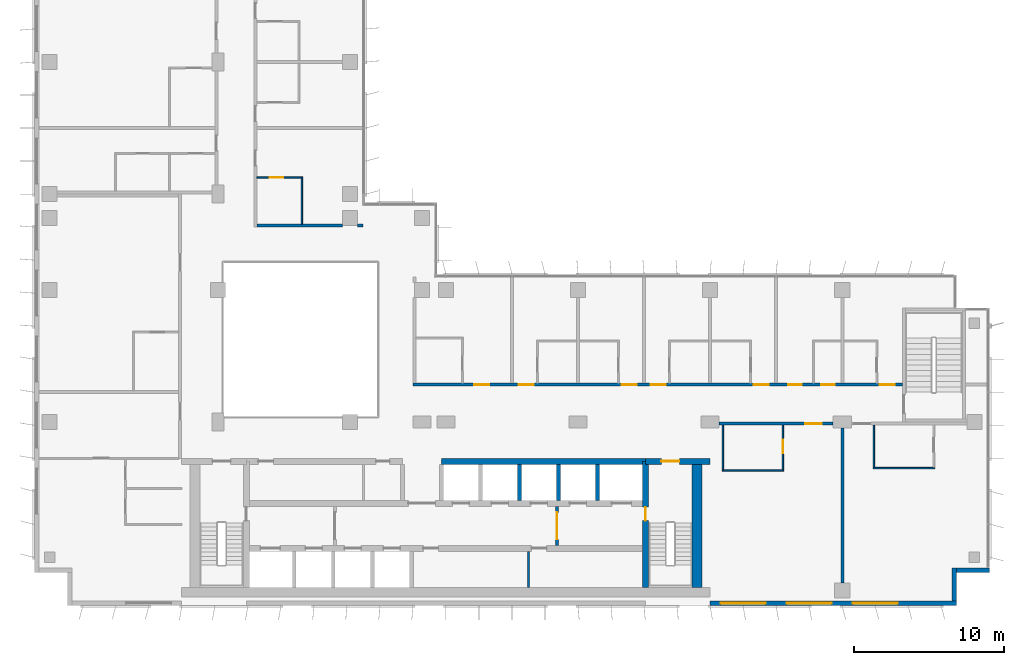
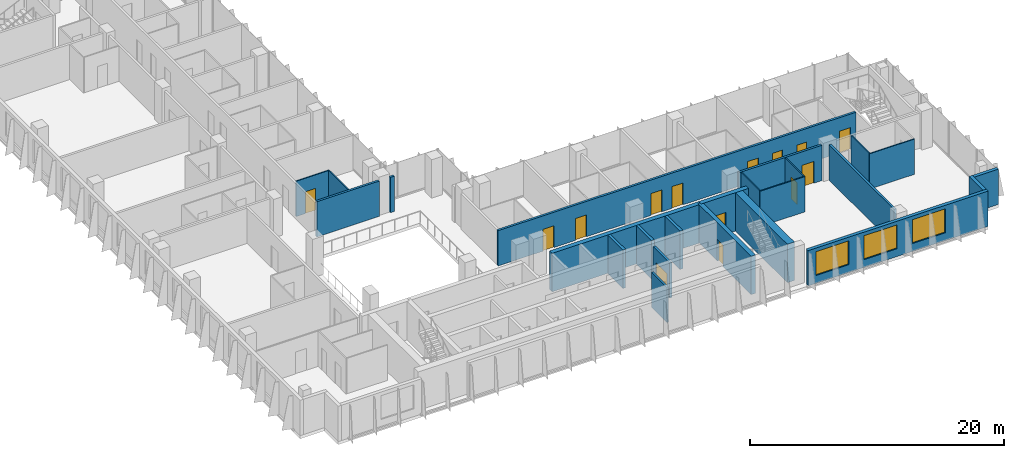
# One storey, part 14 of 21: 24 walls, 14 doors, 3 windows, 17 openings.
"""IFC4 building model written with IfcOpenShell, lengths in metres."""

import ifcopenshell
import ifcopenshell.guid

model = None  # the IFC model being written
_history = None  # IfcOwnerHistory: only IFC2X3 demands one
_inside = {}  # id of a spatial element -> (the spatial element, [elements in it])
_under = {}  # id of a project, library or spatial element -> (it, [spatial elements below it])
_declared = {}  # id of a project -> (the project, [libraries it declares])
_typed = {}  # id of a type object -> (the type object, [elements of that type])
_made_of = {}  # id of a material, layer set ... -> (it, [elements and type objects made of it])


def new_model(schema):
    """Start an empty IFC model of exactly this schema.

    Asked for "IFC4X3", IfcOpenShell would pick the latest addendum, in which some entities
    have other attributes; the version numbers below select the first issue.
    IFC2X3 requires an IfcOwnerHistory on every rooted entity: one is made here for all.
    """
    global model, _history
    if schema == "IFC4X3":
        model = ifcopenshell.file(schema_version=(4, 3, 0, 0))
    else:
        model = ifcopenshell.file(schema=schema)
    _inside.clear()
    _under.clear()
    _declared.clear()
    _typed.clear()
    _made_of.clear()
    _history = None
    if model.schema == "IFC2X3":
        org = make("IfcOrganization", Name="unknown")
        user = make(
            "IfcPersonAndOrganization",
            ThePerson=make("IfcPerson", FamilyName="unknown"),
            TheOrganization=org,
        )
        app = make(
            "IfcApplication",
            ApplicationDeveloper=org,
            Version="unknown",
            ApplicationFullName="unknown",
            ApplicationIdentifier="unknown",
        )
        _history = make(
            "IfcOwnerHistory",
            OwningUser=user,
            OwningApplication=app,
            ChangeAction="ADDED",
            CreationDate=0,
        )
    return model


def make(cls, **values):
    """One entity of the class cls with the attributes given. An attribute that is None is left unset."""
    return model.create_entity(
        cls, **{name: value for name, value in values.items() if value is not None}
    )


def rooted(cls, **values):
    """An entity with a GlobalId (a new one), such as an element, a storey or a relation."""
    return make(cls, GlobalId=ifcopenshell.guid.new(), OwnerHistory=_history, **values)


def si_unit(unit_type, name, prefix=None):
    """IfcSIUnit, for example si_unit("LENGTHUNIT", "METRE", prefix="MILLI")."""
    return make("IfcSIUnit", UnitType=unit_type, Prefix=prefix, Name=name)


def assignment(units):
    """IfcUnitAssignment: the units of a project."""
    return None if units is None else make("IfcUnitAssignment", Units=units)


def point(xyz):
    """IfcCartesianPoint."""
    return None if xyz is None else make("IfcCartesianPoint", Coordinates=xyz)


def direction(xyz):
    """IfcDirection."""
    return None if xyz is None else make("IfcDirection", DirectionRatios=xyz)


def frame(location, z_axis=None, x_axis=None):
    """IfcAxis2Placement3D, a coordinate frame: its origin and axes. An axis left out is left unset."""
    return make(
        "IfcAxis2Placement3D",
        Location=point(location),
        Axis=direction(z_axis),
        RefDirection=direction(x_axis),
    )


def frame_2d(location, x_axis=None):
    """IfcAxis2Placement2D, a coordinate frame in the plane: its origin and x axis."""
    return make(
        "IfcAxis2Placement2D", Location=point(location), RefDirection=direction(x_axis)
    )


def origin():
    """The frame at (0, 0, 0) with its axes left unset."""
    return frame((0.0, 0.0, 0.0))


def place(relative_to, where):
    """IfcLocalPlacement: puts the frame where relative to a parent placement (None: the world)."""
    return make(
        "IfcLocalPlacement", PlacementRelTo=relative_to, RelativePlacement=where
    )


def context(
    kind, dimensions, precision=None, world=None, true_north=None, identifier=None
):
    """IfcGeometricRepresentationContext, for example the 3D "Model" context."""
    return make(
        "IfcGeometricRepresentationContext",
        ContextIdentifier=identifier,
        ContextType=kind,
        CoordinateSpaceDimension=dimensions,
        Precision=precision,
        WorldCoordinateSystem=world,
        TrueNorth=true_north,
    )


def subcontext(parent, identifier, kind, view, scale=None):
    """IfcGeometricRepresentationSubContext, for example "Body" below "Model"."""
    return make(
        "IfcGeometricRepresentationSubContext",
        ContextIdentifier=identifier,
        ContextType=kind,
        ParentContext=parent,
        TargetScale=scale,
        TargetView=view,
    )


def project(units=None, contexts=None):
    """IfcProject with its units and contexts."""
    return rooted(
        "IfcProject",
        Name="project",
        RepresentationContexts=contexts,
        UnitsInContext=assignment(units),
    )


def spatial(cls, under=None, at=None, **own):
    """A site, building, storey or space (cls), placed at a placement, below another one or the project."""
    s = rooted(cls, ObjectPlacement=at, **own)
    if under is not None:
        _under.setdefault(under.id(), (under, []))[1].append(s)
    return s


def profile(cls, at=None, kind="AREA", **sizes):
    """A parametric profile (cls). Its sizes go by their IFC names, for example OverallWidth=200.0."""
    return make(cls, ProfileType=kind, Position=at, **sizes)


def rectangle(**sizes):
    """IfcRectangleProfileDef."""
    return profile("IfcRectangleProfileDef", **sizes)


def extrude(swept, where, along, depth):
    """IfcExtrudedAreaSolid: the profile swept, set in the frame where, extruded along a direction by depth."""
    return make(
        "IfcExtrudedAreaSolid",
        SweptArea=swept,
        Position=where,
        ExtrudedDirection=direction(along),
        Depth=depth,
    )


def shape(context_of_items, identifier, shape_type, items):
    """IfcShapeRepresentation: the items that make up one representation, for example the "Body"."""
    return make(
        "IfcShapeRepresentation",
        ContextOfItems=context_of_items,
        RepresentationIdentifier=identifier,
        RepresentationType=shape_type,
        Items=items,
    )


def material(Name=None, Category=None):
    """IfcMaterial."""
    return make("IfcMaterial", Name=Name, Category=Category)


def layer(
    of_material, thickness, ventilated=None, Name=None, Category=None, Priority=None
):
    """IfcMaterialLayer: one layer of a wall or slab, of a material (None: an air gap)."""
    return make(
        "IfcMaterialLayer",
        Material=of_material,
        LayerThickness=thickness,
        IsVentilated=ventilated,
        Name=Name,
        Category=Category,
        Priority=Priority,
    )


def layer_set(layers, Name=None):
    """IfcMaterialLayerSet."""
    return make("IfcMaterialLayerSet", MaterialLayers=layers, LayerSetName=Name)


def made_of(thing, what):
    """Note that an element or type object is made of a material, layer set ...; save() writes the relation."""
    if what is not None:
        _made_of.setdefault(what.id(), (what, []))[1].append(thing)
    return thing


def type_object(cls, material=None, **own):
    """A type object (cls), such as IfcWallType, which elements share."""
    return made_of(rooted(cls, **own), material)


def element(
    cls,
    number,
    at=None,
    inside=None,
    cuts=None,
    type_object=None,
    material=None,
    context=None,
    identifier="Body",
    shape_type=None,
    held_by="IfcProductDefinitionShape",
    body=None,
    shapes=None,
    **own,
):
    """One element of the class cls, such as IfcWall. Its Tag is "e" and its number.

    at: its placement. inside: the storey or other place that contains it. cuts: it is an
    opening in that element (IfcRelVoidsElement). A single representation is given by context,
    identifier, shape_type and body (its items); several are given by shapes. held_by: the class
    of the entity that holds the representations. save() writes the other relations.
    """
    e = rooted(cls, Tag="e%d" % number, ObjectPlacement=at, **own)
    if body is not None:
        shapes = [shape(context, identifier, shape_type, body)]
    if shapes is not None:
        e.Representation = make(held_by, Representations=shapes)
    if inside is not None:
        _inside.setdefault(inside.id(), (inside, []))[1].append(e)
    if cuts is not None:
        rooted(
            "IfcRelVoidsElement", RelatingBuildingElement=cuts, RelatedOpeningElement=e
        )
    if type_object is not None:
        _typed.setdefault(type_object.id(), (type_object, []))[1].append(e)
    return made_of(e, material)


def fill(opening, filler):
    """IfcRelFillsElement: the door or window that sits in an opening."""
    return rooted(
        "IfcRelFillsElement",
        RelatingOpeningElement=opening,
        RelatedBuildingElement=filler,
    )


def aggregate(whole, parts):
    """IfcRelAggregates: a whole, such as a stair, and the parts it consists of."""
    return rooted("IfcRelAggregates", RelatingObject=whole, RelatedObjects=parts)


def save(model, path):
    """Write the relations noted so far, then the file.

    IfcRelAggregates (storeys below a building ...), IfcRelContainedInSpatialStructure (elements
    in a storey), IfcRelDefinesByType, IfcRelAssociatesMaterial and IfcRelDeclares: one each for
    every whole, place, type object, material and project.
    """
    for whole, parts in _under.values():
        aggregate(whole, parts)
    for where, things in _inside.values():
        rooted(
            "IfcRelContainedInSpatialStructure",
            RelatedElements=things,
            RelatingStructure=where,
        )
    for kind, things in _typed.values():
        rooted("IfcRelDefinesByType", RelatedObjects=things, RelatingType=kind)
    for what, things in _made_of.values():
        rooted("IfcRelAssociatesMaterial", RelatedObjects=things, RelatingMaterial=what)
    for by, libraries in _declared.values():
        rooted("IfcRelDeclares", RelatingContext=by, RelatedDefinitions=libraries)
    model.write(path)


model = new_model("IFC4")

# Units and contexts
model_context = context("Model", 3, precision=1e-05, world=origin(), true_north=direction((0.0, 1.0)))
body_context = subcontext(model_context, "Body", "Model", "MODEL_VIEW")
ifc_project = project(units=[si_unit("LENGTHUNIT", "METRE"), si_unit("AREAUNIT", "SQUARE_METRE"), si_unit("VOLUMEUNIT", "CUBIC_METRE"), si_unit("PLANEANGLEUNIT", "RADIAN"), si_unit("MASSUNIT", "GRAM", prefix="KILO")], contexts=[model_context])

# Site, building, storey
site_placement = place(None, origin())
site = spatial("IfcSite", under=ifc_project, at=site_placement, CompositionType="ELEMENT")
building_placement = place(site_placement, origin())
building = spatial("IfcBuilding", under=site, at=building_placement, Name="Kemantara Hotel Tower", CompositionType="ELEMENT")
storey_placement = place(building_placement, frame((0.0, 0.0, 215.39990234375)))
storey = spatial("IfcBuildingStorey", under=building, at=storey_placement, Name="L53", CompositionType="ELEMENT", Elevation=215.39990234375)

# Wall, openings, windows
ifc_material_1 = material(Name="Bronze anodised aluminium cladding on insulated steel stud wall", Category="steel")
ifc_layer_1 = layer(ifc_material_1, 0.300048828125)
ifc_layer_set_1 = layer_set([ifc_layer_1], Name="Bronze anodised aluminium cladding on insulated steel stud wall")
wall_type_1 = type_object("IfcWallType", Name="BRONZE METAL-CLAD EXTERNAL WALL 300", PredefinedType="STANDARD", material=ifc_layer_set_1)
wall_1_placement = place(storey_placement, frame((45.0, 0.14990234375, 0.0), z_axis=(0.0, 0.0, 1.0), x_axis=(1.0, 0.0, 0.0)))
wall_1 = element("IfcWall", 1, at=wall_1_placement, inside=storey, type_object=wall_type_1, Name="EXTERNAL WALL L53 T3-R08-3", PredefinedType="STANDARD", context=body_context, shape_type="SweptSolid", body=[
    extrude(rectangle(XDim=16.39990234375, YDim=0.300048828125, at=frame_2d((8.199951171875, 0.0))), origin(), (0.0, 0.0, 1.0), 3.400146484375),
])
opening_1_placement = place(wall_1_placement, frame((0.699951171875, 0.0, 0.75)))
opening_1 = element("IfcOpeningElement", 2, at=opening_1_placement, cuts=wall_1, Name="Opening W1", PredefinedType="OPENING", context=body_context, shape_type="SweptSolid", body=[
    extrude(rectangle(XDim=3.0, YDim=2.300048828125, at=frame_2d((1.5, 1.14990234375))), frame((0.0, 0.159912109375, 0.0), z_axis=(0.0, -1.0, 0.0), x_axis=(1.0, 0.0, 0.0)), (0.0, 0.0, 1.0), 0.320068359375),
])
opening_2_placement = place(wall_1_placement, frame((5.10009765625, 0.0, 0.75)))
opening_2 = element("IfcOpeningElement", 3, at=opening_2_placement, cuts=wall_1, Name="Opening W1", PredefinedType="OPENING", context=body_context, shape_type="SweptSolid", body=[
    extrude(rectangle(XDim=3.0, YDim=2.300048828125, at=frame_2d((1.5, 1.14990234375))), frame((0.0, 0.159912109375, 0.0), z_axis=(0.0, -1.0, 0.0), x_axis=(1.0, 0.0, 0.0)), (0.0, 0.0, 1.0), 0.320068359375),
])
opening_3_placement = place(wall_1_placement, frame((9.5, 0.0, 0.75)))
opening_3 = element("IfcOpeningElement", 4, at=opening_3_placement, cuts=wall_1, Name="Opening W1", PredefinedType="OPENING", context=body_context, shape_type="SweptSolid", body=[
    extrude(rectangle(XDim=3.0, YDim=2.300048828125, at=frame_2d((1.5, 1.14990234375))), frame((0.0, 0.159912109375, 0.0), z_axis=(0.0, -1.0, 0.0), x_axis=(1.0, 0.0, 0.0)), (0.0, 0.0, 1.0), 0.320068359375),
])
ifc_material_2 = material(Name="Low-E tinted double insulated glass in bronze anodised aluminium frame", Category="aluminium")
window_type = type_object("IfcWindowType", Name="CHICAGO WINDOW, TRIPLE PANEL 3000x2300", PartitioningType="TRIPLE_PANEL_VERTICAL", PredefinedType="WINDOW", material=ifc_material_2)
window_1_placement = place(opening_1_placement, origin())
window_1 = element("IfcWindow", 5, at=window_1_placement, inside=storey, type_object=window_type, Name="CHICAGO WINDOW L53 T3-R08-450", OverallHeight=2.300048828125, OverallWidth=3.0, PartitioningType="SINGLE_PANEL", PredefinedType="WINDOW", context=body_context, shape_type="SweptSolid", body=[
    extrude(rectangle(XDim=3.0, YDim=2.300048828125, at=frame_2d((1.5, 1.14990234375))), frame((0.0, 0.030029296875, 0.0), z_axis=(0.0, -1.0, 0.0), x_axis=(1.0, 0.0, 0.0)), (0.0, 0.0, 1.0), 0.06005859375),
])
fill(opening_1, window_1)
window_2_placement = place(opening_2_placement, origin())
window_2 = element("IfcWindow", 6, at=window_2_placement, inside=storey, type_object=window_type, Name="CHICAGO WINDOW L53 T3-R08-494", OverallHeight=2.300048828125, OverallWidth=3.0, PartitioningType="SINGLE_PANEL", PredefinedType="WINDOW", context=body_context, shape_type="SweptSolid", body=[
    extrude(rectangle(XDim=3.0, YDim=2.300048828125, at=frame_2d((1.5, 1.14990234375))), frame((0.0, 0.030029296875, 0.0), z_axis=(0.0, -1.0, 0.0), x_axis=(1.0, 0.0, 0.0)), (0.0, 0.0, 1.0), 0.06005859375),
])
fill(opening_2, window_2)
window_3_placement = place(opening_3_placement, origin())
window_3 = element("IfcWindow", 7, at=window_3_placement, inside=storey, type_object=window_type, Name="CHICAGO WINDOW L53 T3-R08-538", OverallHeight=2.300048828125, OverallWidth=3.0, PartitioningType="SINGLE_PANEL", PredefinedType="WINDOW", context=body_context, shape_type="SweptSolid", body=[
    extrude(rectangle(XDim=3.0, YDim=2.300048828125, at=frame_2d((1.5, 1.14990234375))), frame((0.0, 0.030029296875, 0.0), z_axis=(0.0, -1.0, 0.0), x_axis=(1.0, 0.0, 0.0)), (0.0, 0.0, 1.0), 0.06005859375),
])
fill(opening_3, window_3)

# Walls
wall_2_placement = place(storey_placement, frame((61.25, 0.300048828125, 0.0), z_axis=(0.0, 0.0, 1.0), x_axis=(0.0, 1.0, 0.0)))
element("IfcWall", 8, at=wall_2_placement, inside=storey, type_object=wall_type_1, Name="EXTERNAL WALL L53 T3-R09", PredefinedType="STANDARD", context=body_context, shape_type="SweptSolid", body=[
    extrude(rectangle(XDim=2.199951171875, YDim=0.300048828125, at=frame_2d((1.10009765625, 0.0))), origin(), (0.0, 0.0, 1.0), 3.400146484375),
])
wall_3_placement = place(storey_placement, frame((61.39990234375, 2.35009765625, 0.0), z_axis=(0.0, 0.0, 1.0), x_axis=(1.0, 0.0, 0.0)))
element("IfcWall", 9, at=wall_3_placement, inside=storey, type_object=wall_type_1, Name="EXTERNAL WALL L53 T3-R10", PredefinedType="STANDARD", context=body_context, shape_type="SweptSolid", body=[
    extrude(rectangle(XDim=2.2001953125, YDim=0.300048828125, at=frame_2d((1.10009765625, 0.0))), origin(), (0.0, 0.0, 1.0), 3.400146484375),
])
ifc_material_3 = material(Name="Concrete fc 60 MPa", Category="concrete")
ifc_layer_2 = layer(ifc_material_3, 0.25)
ifc_layer_set_2 = layer_set([ifc_layer_2], Name="Concrete fc 60 MPa")
wall_type_2 = type_object("IfcWallType", Name="CORE WALL 250 FC60", PredefinedType="SHEAR", material=ifc_layer_set_2)
for number, where, z_axis, x_axis, name in (
    (10, (32.300048828125, 7.0, 0.0), (0.0, 0.0, 1.0), (0.0, 1.0, 0.0), "CORE WALL CW-DN32.3"),
    (11, (34.89990234375, 7.0, 0.0), (0.0, 0.0, 1.0), (0.0, 1.0, 0.0), "CORE WALL CW-DN34.9"),
    (12, (37.5, 7.0, 0.0), (0.0, 0.0, 1.0), (0.0, 1.0, 0.0), "CORE WALL CW-DN37.5"),
):
    element("IfcWall", number, at=place(storey_placement, frame(where, z_axis=z_axis, x_axis=x_axis)), inside=storey, type_object=wall_type_2, Name=name, PredefinedType="SHEAR", context=body_context, shape_type="SweptSolid", body=[
        extrude(rectangle(XDim=2.39990234375, YDim=0.25, at=frame_2d((1.199951171875, 0.0))), origin(), (0.0, 0.0, 1.0), 3.7001953125),
    ])

# Wall, opening, door
ifc_layer_3 = layer(ifc_material_3, 0.39990234375)
ifc_layer_set_3 = layer_set([ifc_layer_3], Name="Concrete fc 60 MPa")
wall_type_3 = type_object("IfcWallType", Name="CORE WALL 400 FC60", PredefinedType="SHEAR", material=ifc_layer_set_3)
wall_4_placement = place(storey_placement, frame((40.699951171875, 9.60009765625, 0.0), z_axis=(0.0, 0.0, 1.0), x_axis=(1.0, 0.0, 0.0)))
wall_4 = element("IfcWall", 13, at=wall_4_placement, inside=storey, type_object=wall_type_3, Name="CORE WALL CW-N2", PredefinedType="SHEAR", context=body_context, shape_type="SweptSolid", body=[
    extrude(rectangle(XDim=4.300048828125, YDim=0.39990234375, at=frame_2d((2.14990234375, 0.0))), origin(), (0.0, 0.0, 1.0), 3.7001953125),
])
opening_4_placement = place(wall_4_placement, frame((1.050048828125, 0.0, 0.0)))
opening_4 = element("IfcOpeningElement", 14, at=opening_4_placement, cuts=wall_4, Name="Opening C33-ST2-C", PredefinedType="OPENING", context=body_context, shape_type="SweptSolid", body=[
    extrude(rectangle(XDim=1.199951171875, YDim=2.10009765625, at=frame_2d((0.60009765625, 1.050048828125))), frame((0.0, 0.2099609375, 0.0), z_axis=(0.0, -1.0, 0.0), x_axis=(1.0, 0.0, 0.0)), (0.0, 0.0, 1.0), 0.419921875),
])
ifc_material_4 = material(Name="Steel fire door", Category="steel")
door_type_1 = type_object("IfcDoorType", Name="Fire door FD90 1200 x 2100", OperationType="NOTDEFINED", PredefinedType="DOOR", material=ifc_material_4)
door_1_placement = place(opening_4_placement, frame((1.199951171875, 0.0, 0.0), z_axis=(0.0, 0.0, 1.0), x_axis=(-1.0, 0.0, 0.0)))
door_1 = element("IfcDoor", 15, at=door_1_placement, inside=storey, type_object=door_type_1, Name="Stair ST2 door to corridor", OperationType="SINGLE_SWING_RIGHT", OverallHeight=2.10009765625, OverallWidth=1.199951171875, PredefinedType="DOOR", context=body_context, shape_type="SweptSolid", body=[
    extrude(rectangle(XDim=1.199951171875, YDim=2.10009765625, at=frame_2d((0.60009765625, 1.050048828125))), frame((0.0, 0.02490234375, 0.0), z_axis=(0.0, -1.0, 0.0), x_axis=(1.0, 0.0, 0.0)), (0.0, 0.0, 1.0), 0.050048828125),
])
fill(opening_4, door_1)

# Wall
wall_5_placement = place(storey_placement, frame((27.10009765625, 9.60009765625, 0.0), z_axis=(0.0, 0.0, 1.0), x_axis=(1.0, 0.0, 0.0)))
element("IfcWall", 16, at=wall_5_placement, inside=storey, type_object=wall_type_3, Name="CORE WALL CW-NN2", PredefinedType="SHEAR", context=body_context, shape_type="SweptSolid", body=[
    extrude(rectangle(XDim=13.599853515625, YDim=0.39990234375, at=frame_2d((6.7998046875, 0.0))), origin(), (0.0, 0.0, 1.0), 3.7001953125),
])

# Wall, opening, door
wall_6_placement = place(storey_placement, frame((40.699951171875, 1.199951171875, 0.0), z_axis=(0.0, 0.0, 1.0), x_axis=(0.0, 1.0, 0.0)))
wall_6 = element("IfcWall", 17, at=wall_6_placement, inside=storey, type_object=wall_type_3, Name="CORE WALL CW-ST2W", PredefinedType="SHEAR", context=body_context, shape_type="SweptSolid", body=[
    extrude(rectangle(XDim=8.400146484375, YDim=0.39990234375, at=frame_2d((4.2001953125, 0.0))), origin(), (0.0, 0.0, 1.0), 3.7001953125),
])
opening_5_placement = place(wall_6_placement, frame((4.449951171875, 0.0, 0.0)))
opening_5 = element("IfcOpeningElement", 18, at=opening_5_placement, cuts=wall_6, Name="Opening C33-ST2-F", PredefinedType="OPENING", context=body_context, shape_type="SweptSolid", body=[
    extrude(rectangle(XDim=0.89990234375, YDim=2.10009765625, at=frame_2d((0.449951171875, 1.050048828125))), frame((0.0, 0.2099609375, 0.0), z_axis=(0.0, -1.0, 0.0), x_axis=(1.0, 0.0, 0.0)), (0.0, 0.0, 1.0), 0.419921875),
])
door_type_2 = type_object("IfcDoorType", Name="Fire door FD90 900 x 2100", OperationType="NOTDEFINED", PredefinedType="DOOR", material=ifc_material_4)
door_2_placement = place(opening_5_placement, frame((0.89990234375, 0.0, 0.0), z_axis=(0.0, 0.0, 1.0), x_axis=(-1.0, 0.0, 0.0)))
door_2 = element("IfcDoor", 19, at=door_2_placement, inside=storey, type_object=door_type_2, Name="Stair ST2 door to firefighting lobby", OperationType="SINGLE_SWING_LEFT", OverallHeight=2.10009765625, OverallWidth=0.89990234375, PredefinedType="DOOR", context=body_context, shape_type="SweptSolid", body=[
    extrude(rectangle(XDim=0.89990234375, YDim=2.10009765625, at=frame_2d((0.449951171875, 1.050048828125))), frame((0.0, 0.02490234375, 0.0), z_axis=(0.0, -1.0, 0.0), x_axis=(1.0, 0.0, 0.0)), (0.0, 0.0, 1.0), 0.050048828125),
])
fill(opening_5, door_2)

# Wall
ifc_layer_4 = layer(ifc_material_3, 0.64990234375)
ifc_layer_set_4 = layer_set([ifc_layer_4], Name="Concrete fc 60 MPa")
wall_type_4 = type_object("IfcWallType", Name="CORE WALL 650 FC60", PredefinedType="SHEAR", material=ifc_layer_set_4)
wall_7_placement = place(storey_placement, frame((44.125, 1.199951171875, 0.0), z_axis=(0.0, 0.0, 1.0), x_axis=(0.0, 1.0, 0.0)))
element("IfcWall", 20, at=wall_7_placement, inside=storey, type_object=wall_type_4, Name="CORE WALL CW-E", PredefinedType="SHEAR", context=body_context, shape_type="SweptSolid", body=[
    extrude(rectangle(XDim=8.60009765625, YDim=0.64990234375, at=frame_2d((4.300048828125, 0.0))), origin(), (0.0, 0.0, 1.0), 3.7001953125),
])

# Wall, opening, door
ifc_material_5 = material(Name="Gypsum board partition, steel studs and mineral wool, 200 mm", Category="steel")
ifc_layer_5 = layer(ifc_material_5, 0.199951171875)
ifc_layer_set_5 = layer_set([ifc_layer_5], Name="Gypsum board partition, steel studs and mineral wool, 200 mm")
wall_type_5 = type_object("IfcWallType", Name="CORRIDOR WALL 200", PredefinedType="PARTITIONING", material=ifc_layer_set_5)
wall_8_placement = place(storey_placement, frame((53.199951171875, 12.10009765625, 0.0), z_axis=(0.0, 0.0, 1.0), x_axis=(-1.0, 0.0, 0.0)))
wall_8 = element("IfcWall", 21, at=wall_8_placement, inside=storey, type_object=wall_type_5, Name="CORRIDOR WALL 200 001", PredefinedType="PARTITIONING", context=body_context, shape_type="SweptSolid", body=[
    extrude(rectangle(XDim=7.599853515625, YDim=0.199951171875, at=frame_2d((3.7998046875, 0.0))), origin(), (0.0, 0.0, 1.0), 3.400146484375),
])
opening_6_placement = place(wall_8_placement, frame((0.75, 0.0, 0.0)))
opening_6 = element("IfcOpeningElement", 22, at=opening_6_placement, cuts=wall_8, Name="Opening F26-001", PredefinedType="OPENING", context=body_context, shape_type="SweptSolid", body=[
    extrude(rectangle(XDim=1.10009765625, YDim=2.10009765625, at=frame_2d((0.550048828125, 1.050048828125))), frame((0.0, 0.10986328125, 0.0), z_axis=(0.0, -1.0, 0.0), x_axis=(1.0, 0.0, 0.0)), (0.0, 0.0, 1.0), 0.219970703125),
])
ifc_material_6 = material(Name="Hardwood veneer door leaf with steel frame", Category="steel")
door_type_3 = type_object("IfcDoorType", Name="SUITE ENTRANCE DOOR 1100 X 2100 FD30S", OperationType="NOTDEFINED", PredefinedType="DOOR", material=ifc_material_6)
door_3_placement = place(opening_6_placement, origin())
door_3 = element("IfcDoor", 23, at=door_3_placement, inside=storey, type_object=door_type_3, Name="SUITE ENTRANCE DOOR F26-001", OperationType="SINGLE_SWING_LEFT", OverallHeight=2.10009765625, OverallWidth=1.10009765625, PredefinedType="DOOR", context=body_context, shape_type="SweptSolid", body=[
    extrude(rectangle(XDim=1.10009765625, YDim=2.10009765625, at=frame_2d((0.550048828125, 1.050048828125))), frame((0.0, 0.02490234375, 0.0), z_axis=(0.0, -1.0, 0.0), x_axis=(1.0, 0.0, 0.0)), (0.0, 0.0, 1.0), 0.050048828125),
])
fill(opening_6, door_3)

# Wall, openings, doors
wall_9_placement = place(storey_placement, frame((25.199951171875, 14.699951171875, 0.0), z_axis=(0.0, 0.0, 1.0), x_axis=(1.0, 0.0, 0.0)))
wall_9 = element("IfcWall", 24, at=wall_9_placement, inside=storey, type_object=wall_type_5, Name="CORRIDOR WALL 200 005", PredefinedType="PARTITIONING", context=body_context, shape_type="SweptSolid", body=[
    extrude(rectangle(XDim=32.60009765625, YDim=0.199951171875, at=frame_2d((16.300048828125, 0.0))), origin(), (0.0, 0.0, 1.0), 3.400146484375),
])
opening_7_placement = place(wall_9_placement, frame((4.10009765625, 0.0, 0.0)))
opening_7 = element("IfcOpeningElement", 25, at=opening_7_placement, cuts=wall_9, Name="Opening F26-005", PredefinedType="OPENING", context=body_context, shape_type="SweptSolid", body=[
    extrude(rectangle(XDim=1.0, YDim=2.10009765625, at=frame_2d((0.5, 1.050048828125))), frame((0.0, 0.10986328125, 0.0), z_axis=(0.0, -1.0, 0.0), x_axis=(1.0, 0.0, 0.0)), (0.0, 0.0, 1.0), 0.219970703125),
])
opening_8_placement = place(wall_9_placement, frame((7.050048828125, 0.0, 0.0)))
opening_8 = element("IfcOpeningElement", 26, at=opening_8_placement, cuts=wall_9, Name="Opening F26-007", PredefinedType="OPENING", context=body_context, shape_type="SweptSolid", body=[
    extrude(rectangle(XDim=1.0, YDim=2.10009765625, at=frame_2d((0.5, 1.050048828125))), frame((0.0, 0.10986328125, 0.0), z_axis=(0.0, -1.0, 0.0), x_axis=(1.0, 0.0, 0.0)), (0.0, 0.0, 1.0), 0.219970703125),
])
opening_9_placement = place(wall_9_placement, frame((13.89990234375, 0.0, 0.0)))
opening_9 = element("IfcOpeningElement", 27, at=opening_9_placement, cuts=wall_9, Name="Opening F26-009", PredefinedType="OPENING", context=body_context, shape_type="SweptSolid", body=[
    extrude(rectangle(XDim=1.0, YDim=2.10009765625, at=frame_2d((0.5, 1.050048828125))), frame((0.0, 0.10986328125, 0.0), z_axis=(0.0, -1.0, 0.0), x_axis=(1.0, 0.0, 0.0)), (0.0, 0.0, 1.0), 0.219970703125),
])
opening_10_placement = place(wall_9_placement, frame((15.85009765625, 0.0, 0.0)))
opening_10 = element("IfcOpeningElement", 28, at=opening_10_placement, cuts=wall_9, Name="Opening F26-011", PredefinedType="OPENING", context=body_context, shape_type="SweptSolid", body=[
    extrude(rectangle(XDim=1.0, YDim=2.10009765625, at=frame_2d((0.5, 1.050048828125))), frame((0.0, 0.10986328125, 0.0), z_axis=(0.0, -1.0, 0.0), x_axis=(1.0, 0.0, 0.0)), (0.0, 0.0, 1.0), 0.219970703125),
])
opening_11_placement = place(wall_9_placement, frame((22.699951171875, 0.0, 0.0)))
opening_11 = element("IfcOpeningElement", 29, at=opening_11_placement, cuts=wall_9, Name="Opening F26-013", PredefinedType="OPENING", context=body_context, shape_type="SweptSolid", body=[
    extrude(rectangle(XDim=1.0, YDim=2.10009765625, at=frame_2d((0.5, 1.050048828125))), frame((0.0, 0.10986328125, 0.0), z_axis=(0.0, -1.0, 0.0), x_axis=(1.0, 0.0, 0.0)), (0.0, 0.0, 1.0), 0.219970703125),
])
opening_12_placement = place(wall_9_placement, frame((25.0, 0.0, 0.0)))
opening_12 = element("IfcOpeningElement", 30, at=opening_12_placement, cuts=wall_9, Name="Opening F26-015", PredefinedType="OPENING", context=body_context, shape_type="SweptSolid", body=[
    extrude(rectangle(XDim=0.89990234375, YDim=2.10009765625, at=frame_2d((0.449951171875, 1.050048828125))), frame((0.0, 0.10986328125, 0.0), z_axis=(0.0, -1.0, 0.0), x_axis=(1.0, 0.0, 0.0)), (0.0, 0.0, 1.0), 0.219970703125),
])
opening_13_placement = place(wall_9_placement, frame((27.199951171875, 0.0, 0.0)))
opening_13 = element("IfcOpeningElement", 31, at=opening_13_placement, cuts=wall_9, Name="Opening F26-016", PredefinedType="OPENING", context=body_context, shape_type="SweptSolid", body=[
    extrude(rectangle(XDim=0.89990234375, YDim=2.10009765625, at=frame_2d((0.449951171875, 1.050048828125))), frame((0.0, 0.10986328125, 0.0), z_axis=(0.0, -1.0, 0.0), x_axis=(1.0, 0.0, 0.0)), (0.0, 0.0, 1.0), 0.219970703125),
])
opening_14_placement = place(wall_9_placement, frame((31.10009765625, 0.0, 0.0)))
opening_14 = element("IfcOpeningElement", 32, at=opening_14_placement, cuts=wall_9, Name="Opening F26-017", PredefinedType="OPENING", context=body_context, shape_type="SweptSolid", body=[
    extrude(rectangle(XDim=1.0, YDim=2.10009765625, at=frame_2d((0.5, 1.050048828125))), frame((0.0, 0.10986328125, 0.0), z_axis=(0.0, -1.0, 0.0), x_axis=(1.0, 0.0, 0.0)), (0.0, 0.0, 1.0), 0.219970703125),
])
door_type_4 = type_object("IfcDoorType", Name="GUEST ROOM DOOR 1000 X 2100 FD30S", OperationType="NOTDEFINED", PredefinedType="DOOR", material=ifc_material_6)
door_4_placement = place(opening_7_placement, origin())
door_4 = element("IfcDoor", 33, at=door_4_placement, inside=storey, type_object=door_type_4, Name="GUEST ROOM DOOR F26-005", OperationType="SINGLE_SWING_RIGHT", OverallHeight=2.10009765625, OverallWidth=1.0, PredefinedType="DOOR", context=body_context, shape_type="SweptSolid", body=[
    extrude(rectangle(XDim=1.0, YDim=2.10009765625, at=frame_2d((0.5, 1.050048828125))), frame((0.0, 0.02490234375, 0.0), z_axis=(0.0, -1.0, 0.0), x_axis=(1.0, 0.0, 0.0)), (0.0, 0.0, 1.0), 0.050048828125),
])
fill(opening_7, door_4)
door_5_placement = place(opening_8_placement, origin())
door_5 = element("IfcDoor", 34, at=door_5_placement, inside=storey, type_object=door_type_4, Name="GUEST ROOM DOOR F26-007", OperationType="SINGLE_SWING_LEFT", OverallHeight=2.10009765625, OverallWidth=1.0, PredefinedType="DOOR", context=body_context, shape_type="SweptSolid", body=[
    extrude(rectangle(XDim=1.0, YDim=2.10009765625, at=frame_2d((0.5, 1.050048828125))), frame((0.0, 0.02490234375, 0.0), z_axis=(0.0, -1.0, 0.0), x_axis=(1.0, 0.0, 0.0)), (0.0, 0.0, 1.0), 0.050048828125),
])
fill(opening_8, door_5)
door_6_placement = place(opening_9_placement, origin())
door_6 = element("IfcDoor", 35, at=door_6_placement, inside=storey, type_object=door_type_4, Name="GUEST ROOM DOOR F26-009", OperationType="SINGLE_SWING_RIGHT", OverallHeight=2.10009765625, OverallWidth=1.0, PredefinedType="DOOR", context=body_context, shape_type="SweptSolid", body=[
    extrude(rectangle(XDim=1.0, YDim=2.10009765625, at=frame_2d((0.5, 1.050048828125))), frame((0.0, 0.02490234375, 0.0), z_axis=(0.0, -1.0, 0.0), x_axis=(1.0, 0.0, 0.0)), (0.0, 0.0, 1.0), 0.050048828125),
])
fill(opening_9, door_6)
door_7_placement = place(opening_10_placement, origin())
door_7 = element("IfcDoor", 36, at=door_7_placement, inside=storey, type_object=door_type_4, Name="GUEST ROOM DOOR F26-011", OperationType="SINGLE_SWING_LEFT", OverallHeight=2.10009765625, OverallWidth=1.0, PredefinedType="DOOR", context=body_context, shape_type="SweptSolid", body=[
    extrude(rectangle(XDim=1.0, YDim=2.10009765625, at=frame_2d((0.5, 1.050048828125))), frame((0.0, 0.02490234375, 0.0), z_axis=(0.0, -1.0, 0.0), x_axis=(1.0, 0.0, 0.0)), (0.0, 0.0, 1.0), 0.050048828125),
])
fill(opening_10, door_7)
door_8_placement = place(opening_11_placement, origin())
door_8 = element("IfcDoor", 37, at=door_8_placement, inside=storey, type_object=door_type_4, Name="GUEST ROOM DOOR F26-013", OperationType="SINGLE_SWING_RIGHT", OverallHeight=2.10009765625, OverallWidth=1.0, PredefinedType="DOOR", context=body_context, shape_type="SweptSolid", body=[
    extrude(rectangle(XDim=1.0, YDim=2.10009765625, at=frame_2d((0.5, 1.050048828125))), frame((0.0, 0.02490234375, 0.0), z_axis=(0.0, -1.0, 0.0), x_axis=(1.0, 0.0, 0.0)), (0.0, 0.0, 1.0), 0.050048828125),
])
fill(opening_11, door_8)
door_9_placement = place(opening_14_placement, origin())
door_9 = element("IfcDoor", 38, at=door_9_placement, inside=storey, type_object=door_type_4, Name="GUEST ROOM DOOR F26-017", OperationType="SINGLE_SWING_RIGHT", OverallHeight=2.10009765625, OverallWidth=1.0, PredefinedType="DOOR", context=body_context, shape_type="SweptSolid", body=[
    extrude(rectangle(XDim=1.0, YDim=2.10009765625, at=frame_2d((0.5, 1.050048828125))), frame((0.0, 0.02490234375, 0.0), z_axis=(0.0, -1.0, 0.0), x_axis=(1.0, 0.0, 0.0)), (0.0, 0.0, 1.0), 0.050048828125),
])
fill(opening_14, door_9)
ifc_material_7 = material(Name="Steel door leaf with steel frame", Category="steel")
door_type_5 = type_object("IfcDoorType", Name="SERVICE ROOM DOOR 900 X 2100 FD60", OperationType="NOTDEFINED", PredefinedType="DOOR", material=ifc_material_7)
door_10_placement = place(opening_12_placement, origin())
door_10 = element("IfcDoor", 39, at=door_10_placement, inside=storey, type_object=door_type_5, Name="SERVICE ROOM DOOR F26-015", OperationType="SINGLE_SWING_LEFT", OverallHeight=2.10009765625, OverallWidth=0.89990234375, PredefinedType="DOOR", context=body_context, shape_type="SweptSolid", body=[
    extrude(rectangle(XDim=0.89990234375, YDim=2.10009765625, at=frame_2d((0.449951171875, 1.050048828125))), frame((0.0, 0.02490234375, 0.0), z_axis=(0.0, -1.0, 0.0), x_axis=(1.0, 0.0, 0.0)), (0.0, 0.0, 1.0), 0.050048828125),
])
fill(opening_12, door_10)
door_11_placement = place(opening_13_placement, origin())
door_11 = element("IfcDoor", 40, at=door_11_placement, inside=storey, type_object=door_type_5, Name="SERVICE ROOM DOOR F26-016", OperationType="SINGLE_SWING_RIGHT", OverallHeight=2.10009765625, OverallWidth=0.89990234375, PredefinedType="DOOR", context=body_context, shape_type="SweptSolid", body=[
    extrude(rectangle(XDim=0.89990234375, YDim=2.10009765625, at=frame_2d((0.449951171875, 1.050048828125))), frame((0.0, 0.02490234375, 0.0), z_axis=(0.0, -1.0, 0.0), x_axis=(1.0, 0.0, 0.0)), (0.0, 0.0, 1.0), 0.050048828125),
])
fill(opening_13, door_11)

# Walls
ifc_layer_6 = layer(ifc_material_5, 0.199951171875)
ifc_layer_set_6 = layer_set([ifc_layer_6], Name="Gypsum board partition, steel studs and mineral wool, 200 mm")
wall_type_6 = type_object("IfcWallType", Name="GUEST ROOM PARTY WALL 200", PredefinedType="PARTITIONING", material=ifc_layer_set_6)
wall_10_placement = place(storey_placement, frame((53.800048828125, 1.5, 0.0), z_axis=(0.0, 0.0, 1.0), x_axis=(0.0, 1.0, 0.0)))
element("IfcWall", 41, at=wall_10_placement, inside=storey, type_object=wall_type_6, Name="GUEST ROOM PARTY WALL 200 003", PredefinedType="PARTITIONING", context=body_context, shape_type="SweptSolid", body=[
    extrude(rectangle(XDim=10.2998046875, YDim=0.199951171875, at=frame_2d((5.14990234375, 0.0))), origin(), (0.0, 0.0, 1.0), 3.400146484375),
])
wall_11_placement = place(storey_placement, frame((14.800048828125, 25.300048828125, 0.0), z_axis=(0.0, 0.0, 1.0), x_axis=(1.0, 0.0, 0.0)))
element("IfcWall", 42, at=wall_11_placement, inside=storey, type_object=wall_type_6, Name="GUEST ROOM PARTY WALL 200 029", PredefinedType="PARTITIONING", context=body_context, shape_type="SweptSolid", body=[
    extrude(rectangle(XDim=5.699951171875, YDim=0.199951171875, at=frame_2d((2.85009765625, 0.0))), origin(), (0.0, 0.0, 1.0), 3.400146484375),
])
wall_12_placement = place(storey_placement, frame((21.5, 25.300048828125, 0.0), z_axis=(0.0, 0.0, 1.0), x_axis=(1.0, 0.0, 0.0)))
element("IfcWall", 43, at=wall_12_placement, inside=storey, type_object=wall_type_6, Name="GUEST ROOM PARTY WALL 200 030", PredefinedType="PARTITIONING", context=body_context, shape_type="SweptSolid", body=[
    extrude(rectangle(XDim=0.3701171875, YDim=0.199951171875, at=frame_2d((0.18505859375, 0.0))), origin(), (0.0, 0.0, 1.0), 3.400146484375),
])
ifc_material_8 = material(Name="Gypsum board partition")
ifc_layer_7 = layer(ifc_material_8, 0.14990234375)
ifc_layer_set_7 = layer_set([ifc_layer_7], Name="Gypsum board partition")
wall_type_7 = type_object("IfcWallType", Name="Gypsum board partition 150 mm", PredefinedType="PARTITIONING", material=ifc_layer_set_7)
wall_13_placement = place(storey_placement, frame((32.89990234375, 1.199951171875, 0.0), z_axis=(0.0, 0.0, 1.0), x_axis=(0.0, 1.0, 0.0)))
element("IfcWall", 44, at=wall_13_placement, inside=storey, type_object=wall_type_7, Name="Core room partition", PredefinedType="PARTITIONING", context=body_context, shape_type="SweptSolid", body=[
    extrude(rectangle(XDim=2.400146484375, YDim=0.14990234375, at=frame_2d((1.2001953125, 0.0))), origin(), (0.0, 0.0, 1.0), 3.400146484375),
])

# Wall, opening, door
ifc_material_9 = material(Name="Gypsum board shaft wall")
ifc_layer_8 = layer(ifc_material_9, 0.199951171875)
ifc_layer_set_8 = layer_set([ifc_layer_8], Name="Gypsum board shaft wall")
wall_type_8 = type_object("IfcWallType", Name="Gypsum board shaft wall 200 mm", PredefinedType="PARTITIONING", material=ifc_layer_set_8)
wall_14_placement = place(storey_placement, frame((34.800048828125, 4.0, 0.0), z_axis=(0.0, 0.0, 1.0), x_axis=(0.0, 1.0, 0.0)))
wall_14 = element("IfcWall", 45, at=wall_14_placement, inside=storey, type_object=wall_type_8, Name="Firefighting lobby partition east", PredefinedType="PARTITIONING", context=body_context, shape_type="SweptSolid", body=[
    extrude(rectangle(XDim=2.60009765625, YDim=0.199951171875, at=frame_2d((1.300048828125, 0.0))), origin(), (0.0, 0.0, 1.0), 3.400146484375),
])
opening_15_placement = place(wall_14_placement, frame((0.39990234375, 0.0, 0.0)))
opening_15 = element("IfcOpeningElement", 46, at=opening_15_placement, cuts=wall_14, Name="Opening C33-FFE", PredefinedType="OPENING", context=body_context, shape_type="SweptSolid", body=[
    extrude(rectangle(XDim=1.800048828125, YDim=2.10009765625, at=frame_2d((0.89990234375, 1.050048828125))), frame((0.0, 0.10986328125, 0.0), z_axis=(0.0, -1.0, 0.0), x_axis=(1.0, 0.0, 0.0)), (0.0, 0.0, 1.0), 0.219970703125),
])
door_type_6 = type_object("IfcDoorType", Name="Fire door pair FD60 1800 x 2100", OperationType="DOUBLE_DOOR_SINGLE_SWING", PredefinedType="DOOR", material=ifc_material_4)
door_12_placement = place(opening_15_placement, frame((1.800048828125, 0.0, 0.0), z_axis=(0.0, 0.0, 1.0), x_axis=(-1.0, 0.0, 0.0)))
door_12 = element("IfcDoor", 47, at=door_12_placement, inside=storey, type_object=door_type_6, Name="Firefighting lobby door east", OperationType="DOUBLE_DOOR_SINGLE_SWING", OverallHeight=2.10009765625, OverallWidth=1.800048828125, PredefinedType="DOOR", context=body_context, shape_type="SweptSolid", body=[
    extrude(rectangle(XDim=1.800048828125, YDim=2.10009765625, at=frame_2d((0.89990234375, 1.050048828125))), frame((0.0, 0.02490234375, 0.0), z_axis=(0.0, -1.0, 0.0), x_axis=(1.0, 0.0, 0.0)), (0.0, 0.0, 1.0), 0.050048828125),
])
fill(opening_15, door_12)

# Walls
ifc_material_10 = material(Name="Gypsum board partition on steel studs, 100 mm", Category="steel")
ifc_layer_9 = layer(ifc_material_10, 0.10009765625)
ifc_layer_set_9 = layer_set([ifc_layer_9], Name="Gypsum board partition on steel studs, 100 mm")
wall_type_9 = type_object("IfcWallType", Name="ROOM PARTITION 100", PredefinedType="PARTITIONING", material=ifc_layer_set_9)
wall_15_placement = place(storey_placement, frame((45.800048828125, 9.0, 0.0), z_axis=(0.0, 0.0, 1.0), x_axis=(1.0, 0.0, 0.0)))
element("IfcWall", 48, at=wall_15_placement, inside=storey, type_object=wall_type_9, Name="ROOM PARTITION 100 034", PredefinedType="PARTITIONING", context=body_context, shape_type="SweptSolid", body=[
    extrude(rectangle(XDim=4.099853515625, YDim=0.10009765625, at=frame_2d((2.0498046875, 0.0))), origin(), (0.0, 0.0, 1.0), 3.400146484375),
])
wall_16_placement = place(storey_placement, frame((45.85009765625, 9.050048828125, 0.0), z_axis=(0.0, 0.0, 1.0), x_axis=(0.0, 1.0, 0.0)))
element("IfcWall", 49, at=wall_16_placement, inside=storey, type_object=wall_type_9, Name="ROOM PARTITION 100 035", PredefinedType="PARTITIONING", context=body_context, shape_type="SweptSolid", body=[
    extrude(rectangle(XDim=2.949951171875, YDim=0.10009765625, at=frame_2d((1.47509765625, 0.0))), origin(), (0.0, 0.0, 1.0), 3.400146484375),
])

# Wall, opening, door
wall_17_placement = place(storey_placement, frame((49.85009765625, 9.050048828125, 0.0), z_axis=(0.0, 0.0, 1.0), x_axis=(0.0, 1.0, 0.0)))
wall_17 = element("IfcWall", 50, at=wall_17_placement, inside=storey, type_object=wall_type_9, Name="ROOM PARTITION 100 036", PredefinedType="PARTITIONING", context=body_context, shape_type="SweptSolid", body=[
    extrude(rectangle(XDim=2.949951171875, YDim=0.10009765625, at=frame_2d((1.47509765625, 0.0))), origin(), (0.0, 0.0, 1.0), 3.400146484375),
])
opening_16_placement = place(wall_17_placement, frame((1.10009765625, 0.0, 0.0)))
opening_16 = element("IfcOpeningElement", 51, at=opening_16_placement, cuts=wall_17, Name="Opening F26-002", PredefinedType="OPENING", context=body_context, shape_type="SweptSolid", body=[
    extrude(rectangle(XDim=0.89990234375, YDim=2.10009765625, at=frame_2d((0.449951171875, 1.050048828125))), frame((0.0, 0.06005859375, 0.0), z_axis=(0.0, -1.0, 0.0), x_axis=(1.0, 0.0, 0.0)), (0.0, 0.0, 1.0), 0.1201171875),
])
door_type_7 = type_object("IfcDoorType", Name="BATHROOM DOOR 900 X 2100", OperationType="NOTDEFINED", PredefinedType="DOOR", material=ifc_material_6)
door_13_placement = place(opening_16_placement, origin())
door_13 = element("IfcDoor", 52, at=door_13_placement, inside=storey, type_object=door_type_7, Name="BATHROOM DOOR F26-002", OperationType="SINGLE_SWING_RIGHT", OverallHeight=2.10009765625, OverallWidth=0.89990234375, PredefinedType="DOOR", context=body_context, shape_type="SweptSolid", body=[
    extrude(rectangle(XDim=0.89990234375, YDim=2.10009765625, at=frame_2d((0.449951171875, 1.050048828125))), frame((0.0, 0.02490234375, 0.0), z_axis=(0.0, -1.0, 0.0), x_axis=(1.0, 0.0, 0.0)), (0.0, 0.0, 1.0), 0.050048828125),
])
fill(opening_16, door_13)

# Walls
wall_18_placement = place(storey_placement, frame((55.85009765625, 9.14990234375, 0.0), z_axis=(0.0, 0.0, 1.0), x_axis=(1.0, 0.0, 0.0)))
element("IfcWall", 53, at=wall_18_placement, inside=storey, type_object=wall_type_9, Name="ROOM PARTITION 100 037", PredefinedType="PARTITIONING", context=body_context, shape_type="SweptSolid", body=[
    extrude(rectangle(XDim=4.099853515625, YDim=0.10009765625, at=frame_2d((2.0498046875, 0.0))), origin(), (0.0, 0.0, 1.0), 3.400146484375),
])
wall_19_placement = place(storey_placement, frame((55.89990234375, 9.199951171875, 0.0), z_axis=(0.0, 0.0, 1.0), x_axis=(0.0, 1.0, 0.0)))
element("IfcWall", 54, at=wall_19_placement, inside=storey, type_object=wall_type_9, Name="ROOM PARTITION 100 038", PredefinedType="PARTITIONING", context=body_context, shape_type="SweptSolid", body=[
    extrude(rectangle(XDim=2.800048828125, YDim=0.10009765625, at=frame_2d((1.39990234375, 0.0))), origin(), (0.0, 0.0, 1.0), 3.400146484375),
])
wall_20_placement = place(storey_placement, frame((17.800048828125, 25.39990234375, 0.0), z_axis=(0.0, 0.0, 1.0), x_axis=(0.0, 1.0, 0.0)))
element("IfcWall", 55, at=wall_20_placement, inside=storey, type_object=wall_type_9, Name="ROOM PARTITION 100 069", PredefinedType="PARTITIONING", context=body_context, shape_type="SweptSolid", body=[
    extrude(rectangle(XDim=3.150146484375, YDim=0.10009765625, at=frame_2d((1.5751953125, 0.0))), origin(), (0.0, 0.0, 1.0), 3.400146484375),
])

# Wall, opening, door
wall_21_placement = place(storey_placement, frame((17.75, 28.5, 0.0), z_axis=(0.0, 0.0, 1.0), x_axis=(-1.0, 0.0, 0.0)))
wall_21 = element("IfcWall", 56, at=wall_21_placement, inside=storey, type_object=wall_type_9, Name="ROOM PARTITION 100 070", PredefinedType="PARTITIONING", context=body_context, shape_type="SweptSolid", body=[
    extrude(rectangle(XDim=2.949951171875, YDim=0.10009765625, at=frame_2d((1.47509765625, 0.0))), origin(), (0.0, 0.0, 1.0), 3.400146484375),
])
opening_17_placement = place(wall_21_placement, frame((1.199951171875, 0.0, 0.0)))
opening_17 = element("IfcOpeningElement", 57, at=opening_17_placement, cuts=wall_21, Name="Opening F26-035", PredefinedType="OPENING", context=body_context, shape_type="SweptSolid", body=[
    extrude(rectangle(XDim=0.89990234375, YDim=2.10009765625, at=frame_2d((0.449951171875, 1.050048828125))), frame((0.0, 0.06005859375, 0.0), z_axis=(0.0, -1.0, 0.0), x_axis=(1.0, 0.0, 0.0)), (0.0, 0.0, 1.0), 0.1201171875),
])
door_14_placement = place(opening_17_placement, origin())
door_14 = element("IfcDoor", 58, at=door_14_placement, inside=storey, type_object=door_type_7, Name="BATHROOM DOOR F26-035", OperationType="SINGLE_SWING_RIGHT", OverallHeight=2.10009765625, OverallWidth=0.89990234375, PredefinedType="DOOR", context=body_context, shape_type="SweptSolid", body=[
    extrude(rectangle(XDim=0.89990234375, YDim=2.10009765625, at=frame_2d((0.449951171875, 1.050048828125))), frame((0.0, 0.02490234375, 0.0), z_axis=(0.0, -1.0, 0.0), x_axis=(1.0, 0.0, 0.0)), (0.0, 0.0, 1.0), 0.050048828125),
])
fill(opening_17, door_14)

save(model, "model.ifc")
